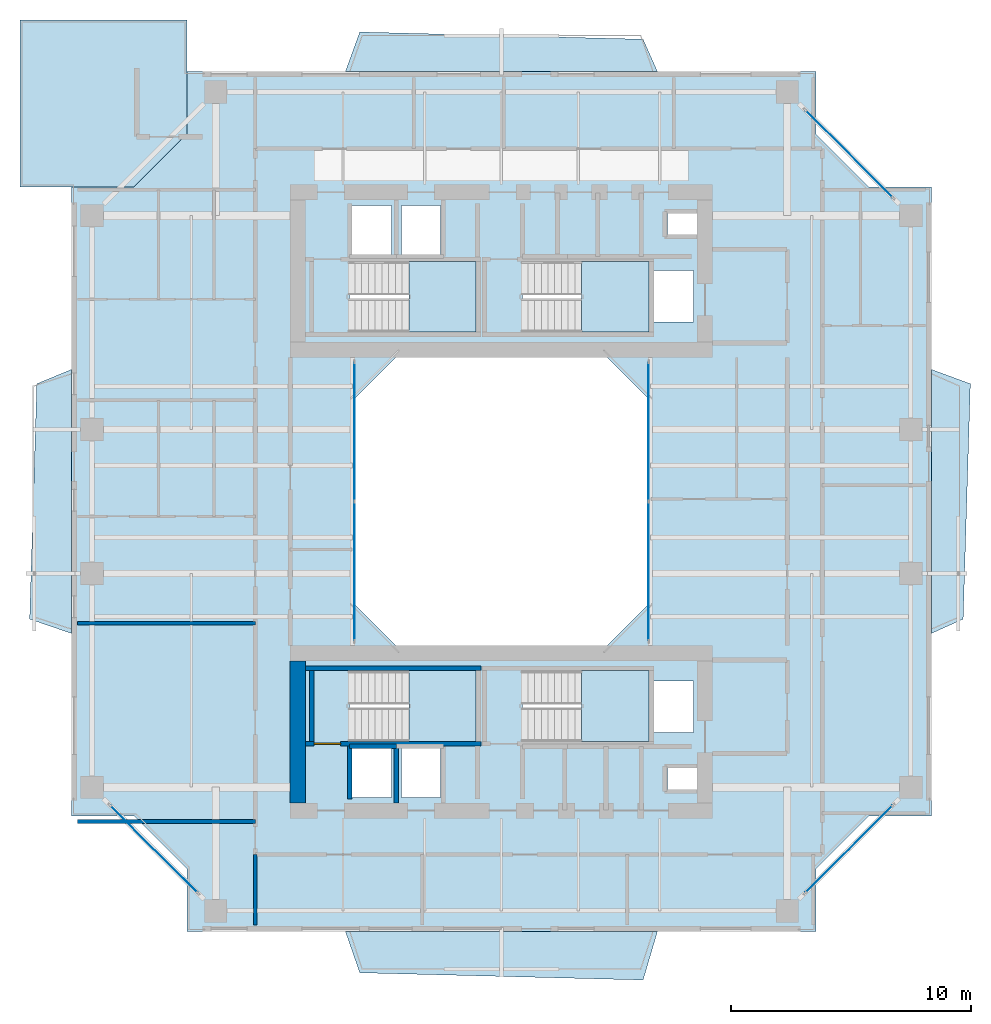
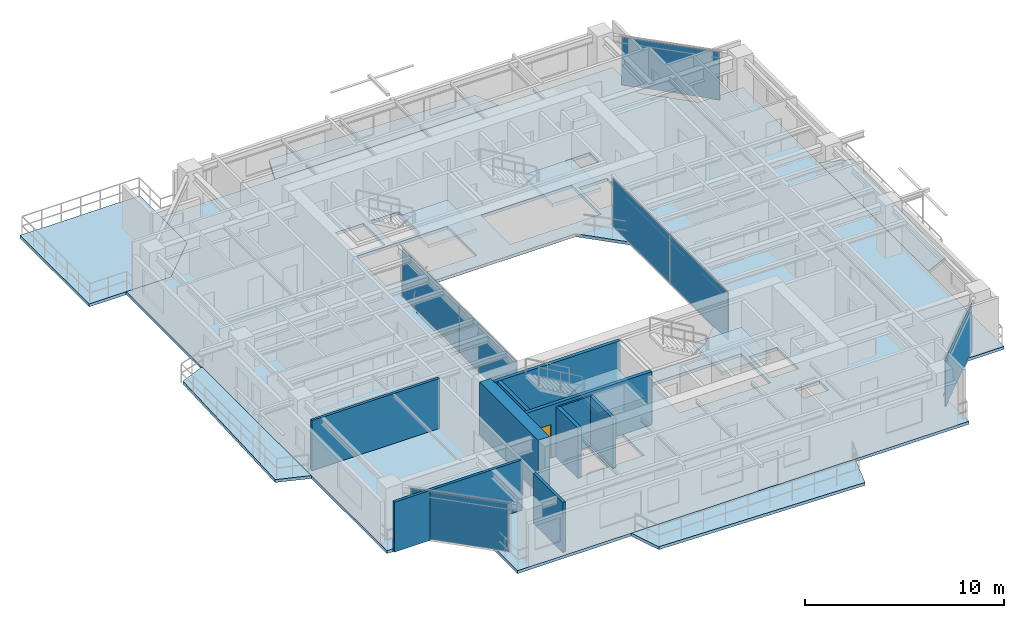
# One storey, part 9 of 17: 10 slabs, 10 walls, 7 plates, 1 door, 1 opening, 9 elements without a shape of their own.
"""IFC4 building model written with IfcOpenShell, lengths in metres."""

from ifc_helpers import new_model, si_unit, direction, frame, frame_2d, origin, origin_2d, place, context, subcontext, project, spatial, polyline, rectangle, outline, extrude, source, transform, mapped, material, layer, layer_set, type_object, element, fill, aggregate, save


model = new_model("IFC4")

# Units and contexts
model_context = context("Model", 3, precision=1e-05, world=origin(), true_north=direction((0.0, 1.0)))
body_context = subcontext(model_context, "Body", "Model", "MODEL_VIEW")
ifc_project = project(units=[si_unit("LENGTHUNIT", "METRE"), si_unit("AREAUNIT", "SQUARE_METRE"), si_unit("VOLUMEUNIT", "CUBIC_METRE"), si_unit("PLANEANGLEUNIT", "RADIAN"), si_unit("MASSUNIT", "GRAM", prefix="KILO"), si_unit("THERMODYNAMICTEMPERATUREUNIT", "KELVIN"), si_unit("POWERUNIT", "WATT")], contexts=[model_context])

# Site, building, storey
site_placement = place(None, origin())
site = spatial("IfcSite", under=ifc_project, at=site_placement, CompositionType="ELEMENT")
building_placement = place(site_placement, origin())
building = spatial("IfcBuilding", under=site, at=building_placement, Name="Qiaomeng Ring Towers", CompositionType="ELEMENT")
storey_placement = place(building_placement, frame((0.0, 0.0, 143.75)))
storey = spatial("IfcBuildingStorey", under=building, at=storey_placement, Name="L41", CompositionType="ELEMENT", Elevation=143.75)

# Slabs
ifc_material_1 = material(Name="Concrete C40", Category="concrete")
ifc_layer_1 = layer(ifc_material_1, 0.179931640625, Name="Concrete C40")
ifc_layer_set_1 = layer_set([ifc_layer_1], Name="Concrete C40")
slab_type_1 = type_object("IfcSlabType", Name="STR-SL-180", PredefinedType="FLOOR", material=ifc_layer_set_1)
slab_1_placement = place(storey_placement, frame((0.0, 0.0, -0.179931640625)))
element("IfcSlab", 1, at=slab_1_placement, inside=storey, type_object=slab_type_1, Name="L41 Tower 1 Annular Floor Slab", PredefinedType="FLOOR", context=body_context, shape_type="SweptSolid", body=[
    extrude(outline(polyline([(5.89990234375, 5.10009765625), (32.10009765625, 5.10009765625), (32.10009765625, 7.699951171875), (34.300048828125, 9.89990234375), (36.89990234375, 9.89990234375), (36.89990234375, 36.10009765625), (34.300048828125, 36.10009765625), (32.10009765625, 38.300048828125), (32.10009765625, 40.89990234375), (5.89990234375, 40.89990234375), (5.89990234375, 38.300048828125), (3.699951171875, 36.10009765625), (1.10009765625, 36.10009765625), (1.10009765625, 9.89990234375), (3.699951171875, 9.89990234375), (5.89990234375, 7.699951171875), (5.89990234375, 5.10009765625)]), holes=[polyline([(12.780029296875, 10.679931640625), (12.780029296875, 12.820068359375), (14.419921875, 12.820068359375), (14.419921875, 10.679931640625), (12.780029296875, 10.679931640625)]), polyline([(14.830078125, 12.820068359375), (16.469970703125, 12.820068359375), (16.469970703125, 10.679931640625), (14.830078125, 10.679931640625), (14.830078125, 12.820068359375)]), polyline([(12.679931640625, 15.949951171875), (17.949951171875, 15.949951171875), (17.949951171875, 13.010009765625), (12.679931640625, 13.010009765625), (12.679931640625, 15.949951171875)]), polyline([(23.199951171875, 29.199951171875), (25.199951171875, 27.199951171875), (25.199951171875, 18.800048828125), (23.199951171875, 16.800048828125), (14.800048828125, 16.800048828125), (12.800048828125, 18.800048828125), (12.800048828125, 27.199951171875), (14.800048828125, 29.199951171875), (23.199951171875, 29.199951171875)]), polyline([(12.679931640625, 32.989990234375), (17.949951171875, 32.989990234375), (17.949951171875, 30.050048828125), (12.679931640625, 30.050048828125), (12.679931640625, 32.989990234375)]), polyline([(12.780029296875, 35.320068359375), (14.419921875, 35.320068359375), (14.419921875, 33.179931640625), (12.780029296875, 33.179931640625), (12.780029296875, 35.320068359375)]), polyline([(14.830078125, 33.179931640625), (14.830078125, 35.320068359375), (16.469970703125, 35.320068359375), (16.469970703125, 33.179931640625), (14.830078125, 33.179931640625)]), polyline([(25.919921875, 11.89990234375), (27.360107421875, 11.89990234375), (27.360107421875, 11.0), (25.919921875, 11.0), (25.919921875, 11.89990234375)]), polyline([(25.360107421875, 15.52001953125), (27.0, 15.52001953125), (27.0, 13.3798828125), (25.360107421875, 13.3798828125), (25.360107421875, 15.52001953125)]), polyline([(19.8798828125, 15.949951171875), (25.14990234375, 15.949951171875), (25.14990234375, 13.010009765625), (19.8798828125, 13.010009765625), (19.8798828125, 15.949951171875)]), polyline([(19.8798828125, 32.989990234375), (25.14990234375, 32.989990234375), (25.14990234375, 30.050048828125), (19.8798828125, 30.050048828125), (19.8798828125, 32.989990234375)]), polyline([(25.360107421875, 32.6201171875), (27.0, 32.6201171875), (27.0, 30.47998046875), (25.360107421875, 30.47998046875), (25.360107421875, 32.6201171875)]), polyline([(25.919921875, 35.0), (27.360107421875, 35.0), (27.360107421875, 34.10009765625), (25.919921875, 34.10009765625), (25.919921875, 35.0)])]), origin(), (0.0, 0.0, 1.0), 0.179931640625),
])
ifc_layer_2 = layer(ifc_material_1, 0.179931640625, Name="Concrete C40")
ifc_layer_set_2 = layer_set([ifc_layer_2], Name="Concrete C40")
slab_type_2 = type_object("IfcSlabType", Name="STR-SL-BAL", PredefinedType="FLOOR", material=ifc_layer_set_2)
slab_2_placement = place(storey_placement, frame((0.0, 0.0, -0.179931640625)))
element("IfcSlab", 2, at=slab_2_placement, inside=storey, type_object=slab_type_2, Name="L41 Tower 1 S Faceted Balcony Slab", PredefinedType="FLOOR", context=body_context, shape_type="SweptSolid", body=[
    extrude(outline(polyline([(24.89990234375, 3.070068359375), (13.10009765625, 3.3701171875), (12.5, 5.10009765625), (25.5, 5.10009765625), (24.89990234375, 3.070068359375)])), origin(), (0.0, 0.0, 1.0), 0.179931640625),
])
slab_3_placement = place(storey_placement, frame((0.0, 0.0, -0.179931640625)))
element("IfcSlab", 3, at=slab_3_placement, inside=storey, type_object=slab_type_2, Name="L41 Tower 1 E Faceted Balcony Slab", PredefinedType="FLOOR", context=body_context, shape_type="SweptSolid", body=[
    extrude(outline(polyline([(38.530029296875, 27.89990234375), (38.22998046875, 18.10009765625), (36.89990234375, 17.5), (36.89990234375, 28.5), (38.530029296875, 27.89990234375)])), origin(), (0.0, 0.0, 1.0), 0.179931640625),
])
slab_4_placement = place(storey_placement, frame((0.0, 0.0, -0.179931640625)))
element("IfcSlab", 4, at=slab_4_placement, inside=storey, type_object=slab_type_2, Name="L41 Tower 1 N Faceted Balcony Slab", PredefinedType="FLOOR", context=body_context, shape_type="SweptSolid", body=[
    extrude(outline(polyline([(12.5, 40.89990234375), (13.10009765625, 42.550048828125), (24.89990234375, 42.25), (25.5, 40.89990234375), (12.5, 40.89990234375)])), origin(), (0.0, 0.0, 1.0), 0.179931640625),
])
slab_5_placement = place(storey_placement, frame((0.0, 0.0, -0.179931640625)))
element("IfcSlab", 5, at=slab_5_placement, inside=storey, type_object=slab_type_2, Name="L41 Tower 1 W Faceted Balcony Slab", PredefinedType="FLOOR", context=body_context, shape_type="SweptSolid", body=[
    extrude(outline(polyline([(-0.64990234375, 18.10009765625), (-0.35009765625, 27.89990234375), (1.10009765625, 28.5), (1.10009765625, 17.5), (-0.64990234375, 18.10009765625)])), origin(), (0.0, 0.0, 1.0), 0.179931640625),
])

# Stair, slab
ifc_material_2 = material(Name="Precast concrete C40", Category="concrete")
stair_type = type_object("IfcStairType", Name="ARC-ST-325", PredefinedType="HALF_TURN_STAIR", material=ifc_material_2)
stair_1_placement = place(storey_placement, origin())
stair_1 = element("IfcStair", 6, at=stair_1_placement, inside=storey, type_object=stair_type, Name="L41 Tower 1 North Stair 1", PredefinedType="HALF_TURN_STAIR")
ifc_layer_3 = layer(ifc_material_1, 0.199951171875, Name="Concrete C40")
ifc_layer_set_3 = layer_set([ifc_layer_3], Name="Concrete C40")
slab_type_3 = type_object("IfcSlabType", Name="STR-SL-LANDING", PredefinedType="LANDING", material=ifc_layer_set_3)
slab_6_placement = place(storey_placement, frame((0.0, 0.0, 1.425048828125)))
slab_6 = element("IfcSlab", 7, at=slab_6_placement, type_object=slab_type_3, Name="ST1 landing 1", PredefinedType="LANDING", context=body_context, shape_type="SweptSolid", body=[
    extrude(outline(polyline([(15.139892578125, 30.050048828125), (17.949951171875, 30.050048828125), (17.949951171875, 32.989990234375), (15.139892578125, 32.989990234375), (15.139892578125, 30.050048828125)])), origin(), (0.0, 0.0, 1.0), 0.199951171875),
])
aggregate(stair_1, [slab_6])

stair_2_placement = place(storey_placement, origin())
stair_2 = element("IfcStair", 8, at=stair_2_placement, inside=storey, type_object=stair_type, Name="L41 Tower 1 North Stair 2", PredefinedType="HALF_TURN_STAIR")
slab_7_placement = place(storey_placement, frame((0.0, 0.0, 1.425048828125)))
slab_7 = element("IfcSlab", 9, at=slab_7_placement, type_object=slab_type_3, Name="ST2 landing 1", PredefinedType="LANDING", context=body_context, shape_type="SweptSolid", body=[
    extrude(outline(polyline([(22.340087890625, 30.050048828125), (25.14990234375, 30.050048828125), (25.14990234375, 32.989990234375), (22.340087890625, 32.989990234375), (22.340087890625, 30.050048828125)])), origin(), (0.0, 0.0, 1.0), 0.199951171875),
])
aggregate(stair_2, [slab_7])

stair_3_placement = place(storey_placement, origin())
stair_3 = element("IfcStair", 10, at=stair_3_placement, inside=storey, type_object=stair_type, Name="L41 Tower 1 South Stair 3", PredefinedType="HALF_TURN_STAIR")
slab_8_placement = place(storey_placement, frame((0.0, 0.0, 1.425048828125)))
slab_8 = element("IfcSlab", 11, at=slab_8_placement, type_object=slab_type_3, Name="ST3 landing 1", PredefinedType="LANDING", context=body_context, shape_type="SweptSolid", body=[
    extrude(outline(polyline([(15.139892578125, 13.010009765625), (17.949951171875, 13.010009765625), (17.949951171875, 15.949951171875), (15.139892578125, 15.949951171875), (15.139892578125, 13.010009765625)])), origin(), (0.0, 0.0, 1.0), 0.199951171875),
])
aggregate(stair_3, [slab_8])

stair_4_placement = place(storey_placement, origin())
stair_4 = element("IfcStair", 12, at=stair_4_placement, inside=storey, type_object=stair_type, Name="L41 Tower 1 South Stair 4", PredefinedType="HALF_TURN_STAIR")
slab_9_placement = place(storey_placement, frame((0.0, 0.0, 1.425048828125)))
slab_9 = element("IfcSlab", 13, at=slab_9_placement, type_object=slab_type_3, Name="ST4 landing 1", PredefinedType="LANDING", context=body_context, shape_type="SweptSolid", body=[
    extrude(outline(polyline([(22.340087890625, 13.010009765625), (25.14990234375, 13.010009765625), (25.14990234375, 15.949951171875), (22.340087890625, 15.949951171875), (22.340087890625, 13.010009765625)])), origin(), (0.0, 0.0, 1.0), 0.199951171875),
])
aggregate(stair_4, [slab_9])

# Slab
ifc_layer_4 = layer(ifc_material_1, 0.179931640625, Name="Concrete C40")
ifc_layer_set_4 = layer_set([ifc_layer_4], Name="Concrete C40")
slab_type_4 = type_object("IfcSlabType", Name="STR-SL-TERR180", PredefinedType="FLOOR", material=ifc_layer_set_4)
slab_10_placement = place(storey_placement, frame((0.0, 0.0, -0.179931640625)))
element("IfcSlab", 14, at=slab_10_placement, inside=storey, type_object=slab_type_4, Name="L41 Spiralling Corner Sky Terrace NW", PredefinedType="FLOOR", context=body_context, shape_type="SweptSolid", body=[
    extrude(outline(polyline([(-1.050048828125, 36.10009765625), (-1.050048828125, 43.050048828125), (5.89990234375, 43.050048828125), (5.89990234375, 40.89990234375), (5.89990234375, 40.89990234375), (5.89990234375, 38.300048828125), (3.699951171875, 36.10009765625), (1.10009765625, 36.10009765625), (-1.050048828125, 36.10009765625)])), origin(), (0.0, 0.0, 1.0), 0.179931640625),
])

# Curtain wall, plates
ifc_material_3 = material(Name="Fluorocarbon dark-grey aluminium", Category="aluminium")
ifc_layer_5 = layer(ifc_material_3, 0.139892578125, Name="Fluorocarbon dark-grey aluminium")
ifc_layer_set_5 = layer_set([ifc_layer_5], Name="Fluorocarbon dark-grey aluminium")
curtain_wall_type_1 = type_object("IfcCurtainWallType", Name="ARC-CW-4", PredefinedType="NOTDEFINED", material=ifc_layer_set_5)
curtain_wall_1_placement = place(storey_placement, origin())
curtain_wall_1 = element("IfcCurtainWall", 15, at=curtain_wall_1_placement, inside=storey, type_object=curtain_wall_type_1, Name="L41 Curtain Wall CW4", PredefinedType="NOTDEFINED")
ifc_material_4 = material(Name="Low-E dark-grey laminated double glazing", Category="glass")
ifc_layer_6 = layer(ifc_material_4, 0.028076171875, Name="Low-E dark-grey laminated double glazing")
ifc_layer_set_6 = layer_set([ifc_layer_6], Name="Low-E dark-grey laminated double glazing")
plate_type = type_object("IfcPlateType", Name="ARC-CWP-DARK", PredefinedType="CURTAIN_PANEL", material=ifc_layer_set_6)
shared_shape_1 = source(origin(), body_context, "Body", "SweptSolid", [
    extrude(rectangle(XDim=5.75244140625, YDim=0.028076171875, at=origin_2d()), origin(), (0.0, 0.0, 1.0), 2.93994140625),
])
plate_1_placement = place(storey_placement, frame((12.8798828125, 20.09130859375, 0.06494140625), z_axis=(0.0, 0.0, 1.0), x_axis=(0.0, 1.0, 0.0)))
plate_1 = element("IfcPlate", 16, at=plate_1_placement, type_object=plate_type, Name="CW4 panel 1.1", PredefinedType="CURTAIN_PANEL", context=body_context, shape_type="MappedRepresentation", body=[
    mapped(shared_shape_1, transform((0.0, 0.0, 0.0), x_axis=(1.0, 0.0, 0.0), y_axis=(0.0, 1.0, 0.0), z_axis=(0.0, 0.0, 1.0), scale=1.0)),
])
plate_2_placement = place(storey_placement, frame((12.8798828125, 25.90869140625, 0.06494140625), z_axis=(0.0, 0.0, 1.0), x_axis=(0.0, 1.0, 0.0)))
plate_2 = element("IfcPlate", 17, at=plate_2_placement, type_object=plate_type, Name="CW4 panel 2.1", PredefinedType="CURTAIN_PANEL", context=body_context, shape_type="MappedRepresentation", body=[
    mapped(shared_shape_1, transform((0.0, 0.0, 0.0), x_axis=(1.0, 0.0, 0.0), y_axis=(0.0, 1.0, 0.0), z_axis=(0.0, 0.0, 1.0), scale=1.0)),
])
aggregate(curtain_wall_1, [plate_1, plate_2])

curtain_wall_2_placement = place(storey_placement, origin())
curtain_wall_2 = element("IfcCurtainWall", 18, at=curtain_wall_2_placement, inside=storey, type_object=curtain_wall_type_1, Name="L41 Curtain Wall CW4", PredefinedType="NOTDEFINED")
plate_3_placement = place(storey_placement, frame((25.1201171875, 20.09130859375, 0.06494140625), z_axis=(0.0, 0.0, 1.0), x_axis=(0.0, 1.0, 0.0)))
plate_3 = element("IfcPlate", 19, at=plate_3_placement, type_object=plate_type, Name="CW4 panel 1.1", PredefinedType="CURTAIN_PANEL", context=body_context, shape_type="MappedRepresentation", body=[
    mapped(shared_shape_1, transform((0.0, 0.0, 0.0), x_axis=(1.0, 0.0, 0.0), y_axis=(0.0, 1.0, 0.0), z_axis=(0.0, 0.0, 1.0), scale=1.0)),
])
plate_4_placement = place(storey_placement, frame((25.1201171875, 25.90869140625, 0.06494140625), z_axis=(0.0, 0.0, 1.0), x_axis=(0.0, 1.0, 0.0)))
plate_4 = element("IfcPlate", 20, at=plate_4_placement, type_object=plate_type, Name="CW4 panel 2.1", PredefinedType="CURTAIN_PANEL", context=body_context, shape_type="MappedRepresentation", body=[
    mapped(shared_shape_1, transform((0.0, 0.0, 0.0), x_axis=(1.0, 0.0, 0.0), y_axis=(0.0, 1.0, 0.0), z_axis=(0.0, 0.0, 1.0), scale=1.0)),
])
aggregate(curtain_wall_2, [plate_3, plate_4])

# Curtain wall, plate
ifc_layer_7 = layer(ifc_material_3, 0.14990234375, Name="Fluorocarbon dark-grey aluminium")
ifc_layer_set_7 = layer_set([ifc_layer_7], Name="Fluorocarbon dark-grey aluminium")
curtain_wall_type_2 = type_object("IfcCurtainWallType", Name="ARC-CW-3", PredefinedType="NOTDEFINED", material=ifc_layer_set_7)
curtain_wall_3_placement = place(storey_placement, origin())
curtain_wall_3 = element("IfcCurtainWall", 21, at=curtain_wall_3_placement, inside=storey, type_object=curtain_wall_type_2, Name="L41 Curtain Wall CW3", PredefinedType="NOTDEFINED")
shared_shape_2 = source(origin(), body_context, "Body", "SweptSolid", [
    extrude(rectangle(XDim=5.120849609375, YDim=0.028076171875, at=origin_2d()), origin(), (0.0, 0.0, 1.0), 2.93994140625),
])
plate_5_placement = place(storey_placement, frame((33.47509765625, 8.52490234375, 0.06494140625), z_axis=(0.0, 0.0, 1.0), x_axis=(0.707106781187, 0.707106781187, 0.0)))
plate_5 = element("IfcPlate", 22, at=plate_5_placement, type_object=plate_type, Name="CW3 panel 1.1", PredefinedType="CURTAIN_PANEL", context=body_context, shape_type="MappedRepresentation", body=[
    mapped(shared_shape_2, transform((0.0, 0.0, 0.0), x_axis=(1.0, 0.0, 0.0), y_axis=(0.0, 1.0, 0.0), z_axis=(0.0, 0.0, 1.0), scale=1.0)),
])
aggregate(curtain_wall_3, [plate_5])

curtain_wall_4_placement = place(storey_placement, origin())
curtain_wall_4 = element("IfcCurtainWall", 23, at=curtain_wall_4_placement, inside=storey, type_object=curtain_wall_type_2, Name="L41 Curtain Wall CW3", PredefinedType="NOTDEFINED")
plate_6_placement = place(storey_placement, frame((33.47509765625, 37.47509765625, 0.06494140625), z_axis=(0.0, 0.0, 1.0), x_axis=(-0.707106781187, 0.707106781187, 0.0)))
plate_6 = element("IfcPlate", 24, at=plate_6_placement, type_object=plate_type, Name="CW3 panel 1.1", PredefinedType="CURTAIN_PANEL", context=body_context, shape_type="MappedRepresentation", body=[
    mapped(shared_shape_2, transform((0.0, 0.0, 0.0), x_axis=(1.0, 0.0, 0.0), y_axis=(0.0, 1.0, 0.0), z_axis=(0.0, 0.0, 1.0), scale=1.0)),
])
aggregate(curtain_wall_4, [plate_6])

curtain_wall_5_placement = place(storey_placement, origin())
curtain_wall_5 = element("IfcCurtainWall", 25, at=curtain_wall_5_placement, inside=storey, type_object=curtain_wall_type_2, Name="L41 Curtain Wall CW3", PredefinedType="NOTDEFINED")
plate_7_placement = place(storey_placement, frame((4.52490234375, 8.52490234375, 0.06494140625), z_axis=(0.0, 0.0, 1.0), x_axis=(0.707106781187, -0.707106781187, 0.0)))
plate_7 = element("IfcPlate", 26, at=plate_7_placement, type_object=plate_type, Name="CW3 panel 1.1", PredefinedType="CURTAIN_PANEL", context=body_context, shape_type="MappedRepresentation", body=[
    mapped(shared_shape_2, transform((0.0, 0.0, 0.0), x_axis=(1.0, 0.0, 0.0), y_axis=(0.0, 1.0, 0.0), z_axis=(0.0, 0.0, 1.0), scale=1.0)),
])
aggregate(curtain_wall_5, [plate_7])

# Walls
ifc_material_5 = material(Name="Autoclaved aerated concrete block", Category="concrete")
ifc_layer_8 = layer(ifc_material_5, 0.199951171875, Name="Autoclaved aerated concrete block")
ifc_layer_set_8 = layer_set([ifc_layer_8], Name="Autoclaved aerated concrete block")
wall_type_1 = type_object("IfcWallType", Name="ARC-WL-PW1", PredefinedType="PARTITIONING", material=ifc_layer_set_8)
wall_1_placement = place(storey_placement, frame((12.679931640625, 10.60009765625, 0.0), z_axis=(0.0, 0.0, 1.0), x_axis=(0.0, 1.0, 0.0)))
element("IfcWall", 27, at=wall_1_placement, inside=storey, type_object=wall_type_1, Name="L41 Interior Wall PW1", PredefinedType="PARTITIONING", context=body_context, shape_type="SweptSolid", body=[
    extrude(rectangle(XDim=2.2099609375, YDim=0.199951171875, at=frame_2d((1.10498046875, 0.0))), origin(), (0.0, 0.0, 1.0), 3.070068359375),
])
ifc_material_6 = material(Name="Gypsum fireboard steel-stud partition", Category="steel")
ifc_layer_9 = layer(ifc_material_6, 0.14990234375, Name="Gypsum fireboard steel-stud partition")
ifc_layer_set_9 = layer_set([ifc_layer_9], Name="Gypsum fireboard steel-stud partition")
wall_type_2 = type_object("IfcWallType", Name="ARC-WL-PW3", PredefinedType="PARTITIONING", material=ifc_layer_set_9)
wall_2_placement = place(storey_placement, frame((8.75, 5.35009765625, 0.0), z_axis=(0.0, 0.0, 1.0), x_axis=(0.0, 1.0, 0.0)))
element("IfcWall", 28, at=wall_2_placement, inside=storey, type_object=wall_type_2, Name="L41 Interior Wall PW3", PredefinedType="PARTITIONING", context=body_context, shape_type="SweptSolid", body=[
    extrude(rectangle(XDim=2.949951171875, YDim=0.14990234375, at=frame_2d((1.47509765625, 0.0))), origin(), (0.0, 0.0, 1.0), 3.070068359375),
])
for number, where, z_axis, x_axis, name in (
    (29, (1.35009765625, 9.669921875, 0.0), (0.0, 0.0, 1.0), (1.0, 0.0, 0.0), "L41 Interior Wall PW3"),
    (30, (1.35009765625, 17.929931640625, 0.0), (0.0, 0.0, 1.0), (1.0, 0.0, 0.0), "L41 Interior Wall PW3"),
):
    element("IfcWall", number, at=place(storey_placement, frame(where, z_axis=z_axis, x_axis=x_axis)), inside=storey, type_object=wall_type_2, Name=name, PredefinedType="PARTITIONING", context=body_context, shape_type="SweptSolid", body=[
        extrude(rectangle(XDim=7.39990234375, YDim=0.14990234375, at=frame_2d((3.699951171875, 0.0))), origin(), (0.0, 0.0, 1.0), 3.070068359375),
    ])
ifc_layer_10 = layer(ifc_material_1, 0.199951171875, Name="Concrete C40")
ifc_layer_set_10 = layer_set([ifc_layer_10], Name="Concrete C40")
wall_type_3 = type_object("IfcWallType", Name="STR-WL-STSHAFT", PredefinedType="SHEAR", material=ifc_layer_set_10)
wall_3_placement = place(storey_placement, frame((12.679931640625, 12.800048828125, 0.0), z_axis=(0.0, 0.0, 1.0), x_axis=(1.0, 0.0, 0.0)))
element("IfcWall", 31, at=wall_3_placement, inside=storey, type_object=wall_type_3, Name="L41 Lift LP6 Shaft Back Wall", PredefinedType="SHEAR", context=body_context, shape_type="SweptSolid", body=[
    extrude(rectangle(XDim=1.940185546875, YDim=0.179931640625, at=frame_2d((0.97021484375, 0.0))), origin(), (0.0, 0.0, 1.0), 3.070068359375),
])
wall_4_placement = place(storey_placement, frame((14.6201171875, 10.449951171875, 0.0), z_axis=(0.0, 0.0, 1.0), x_axis=(0.0, 1.0, 0.0)))
element("IfcWall", 32, at=wall_4_placement, inside=storey, type_object=wall_type_3, Name="L41 Lift LP6-LP4 Shaft Divider Wall", PredefinedType="SHEAR", context=body_context, shape_type="SweptSolid", body=[
    extrude(rectangle(XDim=2.35009765625, YDim=0.179931640625, at=frame_2d((1.175048828125, 0.0))), origin(), (0.0, 0.0, 1.0), 3.070068359375),
])

# Wall, opening, door
wall_5_placement = place(storey_placement, frame((10.85009765625, 12.909912109375, 0.0), z_axis=(0.0, 0.0, 1.0), x_axis=(1.0, 0.0, 0.0)))
wall_5 = element("IfcWall", 33, at=wall_5_placement, inside=storey, type_object=wall_type_3, Name="L41 Stair ST3 South Shaft Shear Wall", PredefinedType="SHEAR", context=body_context, shape_type="SweptSolid", body=[
    extrude(rectangle(XDim=7.2998046875, YDim=0.199951171875, at=frame_2d((3.64990234375, 0.0))), origin(), (0.0, 0.0, 1.0), 3.25),
])
opening_placement = place(wall_5_placement, frame((0.35009765625, 0.0, 0.0)))
opening = element("IfcOpeningElement", 34, at=opening_placement, cuts=wall_5, Name="Opening FD3", PredefinedType="OPENING", context=body_context, shape_type="SweptSolid", body=[
    extrude(rectangle(XDim=1.10009765625, YDim=2.050048828125, at=frame_2d((0.550048828125, 1.02490234375))), frame((0.0, 0.10986328125, 0.0), z_axis=(0.0, -1.0, 0.0), x_axis=(1.0, 0.0, 0.0)), (0.0, 0.0, 1.0), 0.219970703125),
])
ifc_material_7 = material(Name="Galvanised steel", Category="steel")
door_type = type_object("IfcDoorType", Name="ARC-DR-FD3", OperationType="NOTDEFINED", PredefinedType="DOOR", material=ifc_material_7)
shared_shape_3 = source(origin(), body_context, "Body", "SweptSolid", [
    extrude(rectangle(XDim=1.10009765625, YDim=2.050048828125, at=frame_2d((0.550048828125, 1.02490234375))), frame((0.0, 0.02490234375, 0.0), z_axis=(0.0, -1.0, 0.0), x_axis=(1.0, 0.0, 0.0)), (0.0, 0.0, 1.0), 0.050048828125),
])
door_placement = place(opening_placement, frame((1.10009765625, 0.0, 0.0), z_axis=(0.0, 0.0, 1.0), x_axis=(-1.0, 0.0, 0.0)))
door = element("IfcDoor", 35, at=door_placement, inside=storey, type_object=door_type, Name="L41 Stair ST3 Exit Door", OperationType="SINGLE_SWING_RIGHT", OverallHeight=2.050048828125, OverallWidth=1.10009765625, PredefinedType="DOOR", context=body_context, shape_type="MappedRepresentation", body=[
    mapped(shared_shape_3, transform((0.0, 0.0, 0.0), x_axis=(1.0, 0.0, 0.0), y_axis=(0.0, 1.0, 0.0), z_axis=(0.0, 0.0, 1.0), scale=1.0)),
])
fill(opening, door)

# Walls
wall_6_placement = place(storey_placement, frame((10.85009765625, 16.050048828125, 0.0), z_axis=(0.0, 0.0, 1.0), x_axis=(1.0, 0.0, 0.0)))
element("IfcWall", 36, at=wall_6_placement, inside=storey, type_object=wall_type_3, Name="L41 Stair ST3 North Shaft Shear Wall", PredefinedType="SHEAR", context=body_context, shape_type="SweptSolid", body=[
    extrude(rectangle(XDim=7.2998046875, YDim=0.199951171875, at=frame_2d((3.64990234375, 0.0))), origin(), (0.0, 0.0, 1.0), 3.25),
])
wall_7_placement = place(storey_placement, frame((11.10009765625, 13.010009765625, 0.0), z_axis=(0.0, 0.0, 1.0), x_axis=(0.0, 1.0, 0.0)))
element("IfcWall", 37, at=wall_7_placement, inside=storey, type_object=wall_type_3, Name="L41 Stair ST3 West Shaft Shear Wall", PredefinedType="SHEAR", context=body_context, shape_type="SweptSolid", body=[
    extrude(rectangle(XDim=2.93994140625, YDim=0.199951171875, at=frame_2d((1.469970703125, 0.0))), origin(), (0.0, 0.0, 1.0), 3.25),
])
ifc_material_8 = material(Name="Concrete C50", Category="concrete")
ifc_layer_11 = layer(ifc_material_8, 0.64990234375, Name="Concrete C50")
ifc_layer_set_11 = layer_set([ifc_layer_11], Name="Concrete C50")
wall_type_4 = type_object("IfcWallType", Name="STR-WL-SW2B", PredefinedType="SHEAR", material=ifc_layer_set_11)
wall_8_placement = place(storey_placement, frame((10.52490234375, 10.449951171875, 0.0), z_axis=(0.0, 0.0, 1.0), x_axis=(0.0, 1.0, 0.0)))
element("IfcWall", 38, at=wall_8_placement, inside=storey, type_object=wall_type_4, Name="L41 T1SC west core shear wall", PredefinedType="SHEAR", context=body_context, shape_type="SweptSolid", body=[
    extrude(rectangle(XDim=5.900146484375, YDim=0.64990234375, at=frame_2d((2.9501953125, 0.0))), origin(), (0.0, 0.0, 1.0), 3.25),
])

save(model, "model.ifc")
